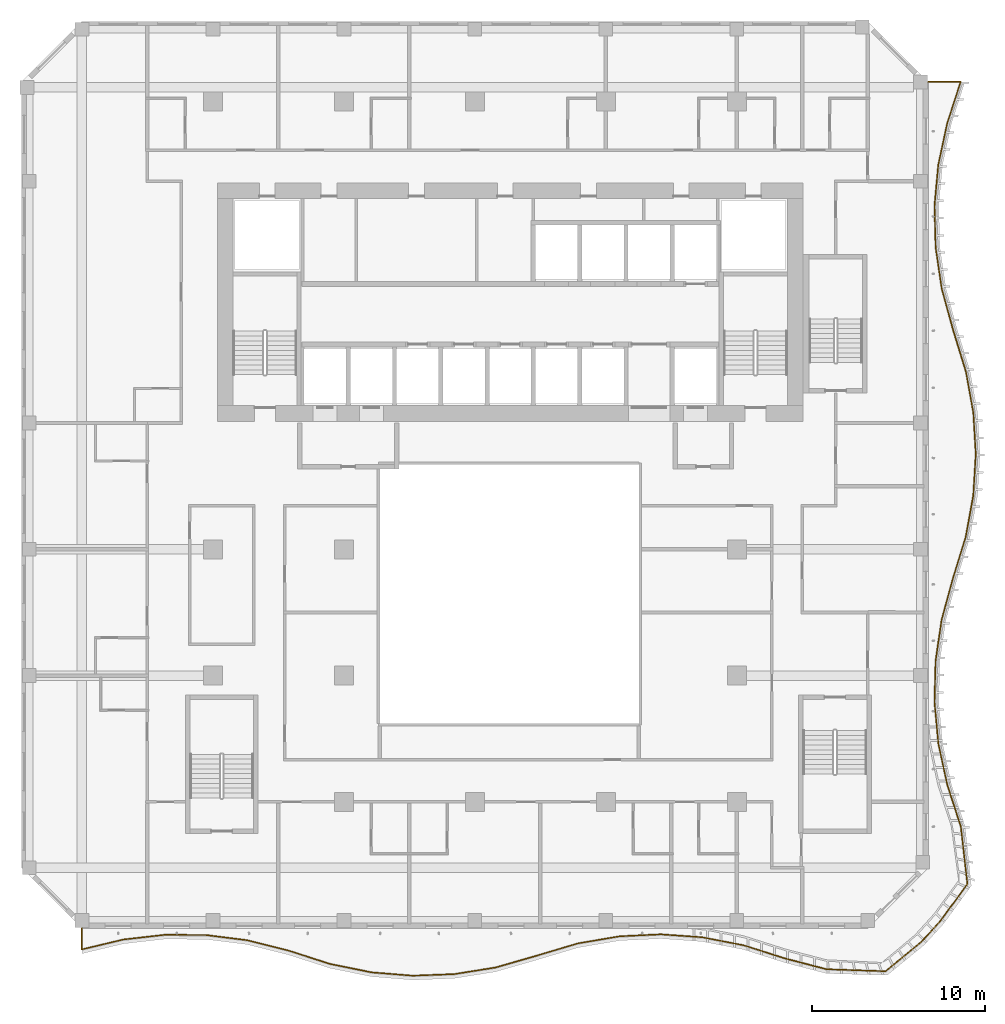
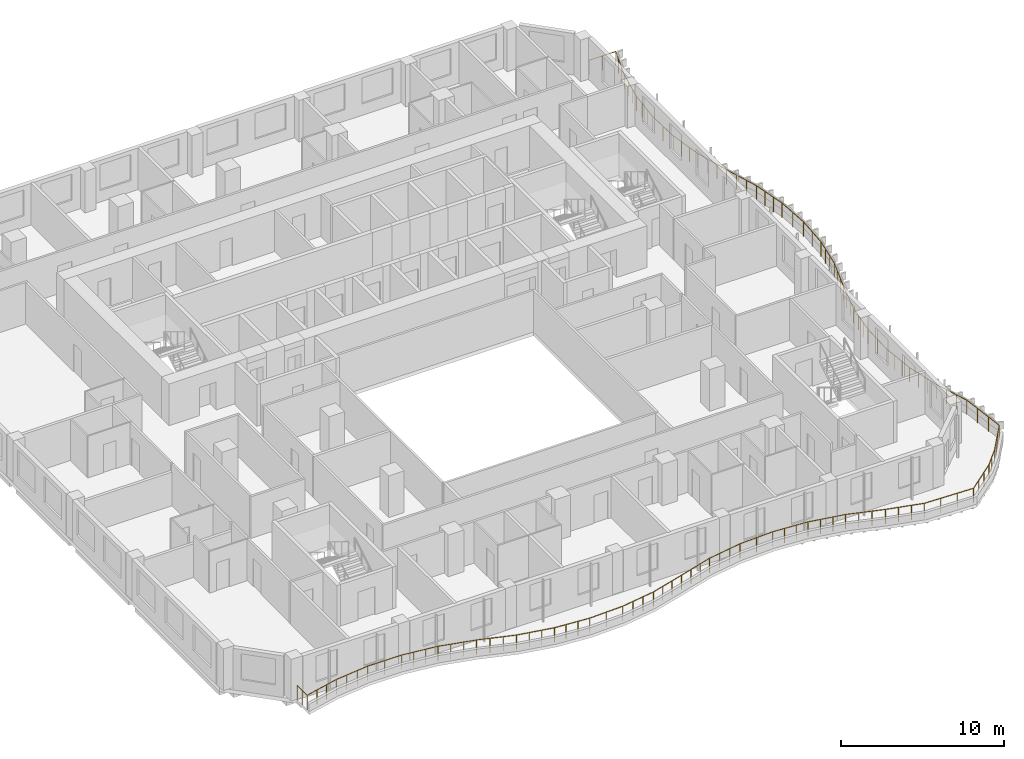
# One storey, part 16 of 22: 1 railing.
"""IFC4 building model written with IfcOpenShell, lengths in metres."""

from ifc_helpers import new_model, si_unit, direction, frame, origin, origin_2d, place, context, subcontext, project, spatial, circle, extrude, material, type_object, element, save


model = new_model("IFC4")

# Units and contexts
model_context = context("Model", 3, precision=1e-05, world=origin(), true_north=direction((0.0, 1.0)))
body_context = subcontext(model_context, "Body", "Model", "MODEL_VIEW")
ifc_project = project(units=[si_unit("LENGTHUNIT", "METRE"), si_unit("AREAUNIT", "SQUARE_METRE"), si_unit("VOLUMEUNIT", "CUBIC_METRE"), si_unit("PLANEANGLEUNIT", "RADIAN"), si_unit("MASSUNIT", "GRAM", prefix="KILO")], contexts=[model_context])

# Site, building, storey
site_placement = place(None, origin())
site = spatial("IfcSite", under=ifc_project, at=site_placement, CompositionType="ELEMENT")
building_placement = place(site_placement, origin())
building = spatial("IfcBuilding", under=site, at=building_placement, Name="Kilnfold Tower and Market Hall", CompositionType="ELEMENT")
storey_placement = place(building_placement, frame((0.0, 0.0, 154.10009765625)))
storey = spatial("IfcBuildingStorey", under=building, at=storey_placement, Name="L35", CompositionType="ELEMENT", Elevation=154.10009765625)

# Railing
ifc_material = material(Name="Stainless steel and laminated glass", Category="steel")
railing_type = type_object("IfcRailingType", Name="GUARD 1100", PredefinedType="GUARDRAIL", material=ifc_material)
railing_placement = place(storey_placement, frame((-23.75, -21.25, 0.0)))
element("IfcRailing", 1, at=railing_placement, inside=storey, type_object=railing_type, Name="Guard balcony L35", PredefinedType="GUARDRAIL", context=body_context, shape_type="SweptSolid", body=[
    extrude(circle(Radius=0.02490234375, at=origin_2d()), frame((0.0, 0.0, 1.0751953125), z_axis=(0.0, -1.0, 0.0), x_axis=(1.0, 0.0, 0.0)), (0.0, 0.0, 1.0), 1.224365234375),
    extrude(circle(Radius=0.02490234375, at=origin_2d()), frame((0.0, -1.224365234375, 1.0751953125), z_axis=(0.972637858526, 0.232326486138, 0.0), x_axis=(-0.232326486138, 0.972637858526, 0.0)), (0.0, 0.0, 1.0), 2.462158203125),
    extrude(circle(Radius=0.02490234375, at=origin_2d()), frame((2.394775390625, -0.65234375, 1.0751953125), z_axis=(0.993555831989, 0.113343763482, 0.0), x_axis=(-0.113343763482, 0.993555831989, 0.0)), (0.0, 0.0, 1.0), 2.410400390625),
    extrude(circle(Radius=0.02490234375, at=origin_2d()), frame((4.78955078125, -0.379150390625, 1.0751953125), z_axis=(0.999984277405, -0.005607579043, 0.0), x_axis=(0.005607579043, 0.999984277405, 0.0)), (0.0, 0.0, 1.0), 2.39453125),
    extrude(circle(Radius=0.02490234375, at=origin_2d()), frame((7.18408203125, -0.392578125, 1.0751953125), z_axis=(0.992217065677, -0.124520257707, 0.0), x_axis=(0.124520257707, 0.992217065677, 0.0)), (0.0, 0.0, 1.0), 2.41357421875),
    extrude(circle(Radius=0.02490234375, at=origin_2d()), frame((9.578857421875, -0.693115234375, 1.0751953125), z_axis=(0.969915233155, -0.243442889594, 0.0), x_axis=(0.243442889594, 0.969915233155, 0.0)), (0.0, 0.0, 1.0), 2.468994140625),
    extrude(circle(Radius=0.02490234375, at=origin_2d()), frame((11.9736328125, -1.294189453125, 1.0751953125), z_axis=(0.951940674273, -0.306282472016, 0.0), x_axis=(0.306282472016, 0.951940674273, 0.0)), (0.0, 0.0, 1.0), 2.515625),
    extrude(circle(Radius=0.02490234375, at=origin_2d()), frame((14.368408203125, -2.064697265625, 1.0751953125), z_axis=(0.979918138669, -0.199400204382, 0.0), x_axis=(0.199400204382, 0.979918138669, 0.0)), (0.0, 0.0, 1.0), 2.44384765625),
    extrude(circle(Radius=0.02490234375, at=origin_2d()), frame((16.76318359375, -2.552001953125, 1.0751953125), z_axis=(0.996748045779, -0.080581221358, 0.0), x_axis=(0.080581221358, 0.996748045779, 0.0)), (0.0, 0.0, 1.0), 2.402587890625),
    extrude(circle(Radius=0.02490234375, at=origin_2d()), frame((19.157958984375, -2.74560546875, 1.0751953125), z_axis=(0.999262077301, 0.038409645508, 0.0), x_axis=(-0.038409645508, 0.999262077301, 0.0)), (0.0, 0.0, 1.0), 2.396240234375),
    extrude(circle(Radius=0.02490234375, at=origin_2d()), frame((21.552490234375, -2.653564453125, 1.0751953125), z_axis=(0.987544070387, 0.157342648523, 0.0), x_axis=(-0.157342648523, 0.987544070387, 0.0)), (0.0, 0.0, 1.0), 2.42529296875),
    extrude(circle(Radius=0.02490234375, at=origin_2d()), frame((23.947509765625, -2.27197265625, 1.0751953125), z_axis=(0.961064099617, 0.276325526195, 0.0), x_axis=(-0.276325526195, 0.961064099617, 0.0)), (0.0, 0.0, 1.0), 2.491455078125),
    extrude(circle(Radius=0.02490234375, at=origin_2d()), frame((26.342041015625, -1.58349609375, 1.0751953125), z_axis=(0.95840786282, 0.285402117168, 0.0), x_axis=(-0.285402117168, 0.95840786282, 0.0)), (0.0, 0.0, 1.0), 2.498779296875),
    extrude(circle(Radius=0.02490234375, at=origin_2d()), frame((28.73681640625, -0.870361328125, 1.0751953125), z_axis=(0.986030201752, 0.166566627006, 0.0), x_axis=(-0.166566627006, 0.986030201752, 0.0)), (0.0, 0.0, 1.0), 2.4287109375),
    extrude(circle(Radius=0.02490234375, at=origin_2d()), frame((31.131591796875, -0.4658203125, 1.0751953125), z_axis=(0.998858903515, 0.047758673234, 0.0), x_axis=(-0.047758673234, 0.998858903515, 0.0)), (0.0, 0.0, 1.0), 2.3974609375),
    extrude(circle(Radius=0.02490234375, at=origin_2d()), frame((33.5263671875, -0.351318359375, 1.0751953125), z_axis=(0.997456118266, -0.07128318268, 0.0), x_axis=(0.07128318268, 0.997456118266, 0.0)), (0.0, 0.0, 1.0), 2.40087890625),
    extrude(circle(Radius=0.02490234375, at=origin_2d()), frame((35.921142578125, -0.5224609375, 1.0751953125), z_axis=(0.981733442958, -0.190261522588, 0.0), x_axis=(0.190261522588, 0.981733442958, 0.0)), (0.0, 0.0, 1.0), 2.439453125),
    extrude(circle(Radius=0.02490234375, at=origin_2d()), frame((38.31591796875, -0.986572265625, 1.0751953125), z_axis=(0.953226539927, -0.302256784173, 0.0), x_axis=(0.302256784173, 0.953226539927, 0.0)), (0.0, 0.0, 1.0), 2.511962890625),
    extrude(circle(Radius=0.02490234375, at=origin_2d()), frame((40.71044921875, -1.745849609375, 1.0751953125), z_axis=(0.967541810288, -0.252710991738, 0.0), x_axis=(0.252710991738, 0.967541810288, 0.0)), (0.0, 0.0, 1.0), 2.47509765625),
    extrude(circle(Radius=0.02490234375, at=origin_2d()), frame((43.105224609375, -2.371337890625, 1.0751953125), z_axis=(0.999408112184, -0.034400949129, 0.0), x_axis=(0.034400949129, 0.999408112184, 0.0)), (0.0, 0.0, 1.0), 3.427734375),
    extrude(circle(Radius=0.02490234375, at=origin_2d()), frame((46.531005859375, -2.4892578125, 1.0751953125), z_axis=(0.772092413404, 0.635510271486, 0.0), x_axis=(-0.635510271486, 0.772092413404, 0.0)), (0.0, 0.0, 1.0), 2.69384765625),
    extrude(circle(Radius=0.02490234375, at=origin_2d()), frame((48.61083984375, -0.77734375, 1.0751953125), z_axis=(0.671980898931, 0.740568478584, 0.0), x_axis=(-0.740568478584, 0.671980898931, 0.0)), (0.0, 0.0, 1.0), 1.651611328125),
    extrude(circle(Radius=0.02490234375, at=origin_2d()), frame((49.720703125, 0.44580078125, 1.0751953125), z_axis=(0.589616974726, 0.807682996673, 0.0), x_axis=(-0.807682996673, 0.589616974726, 0.0)), (0.0, 0.0, 1.0), 2.619873046875),
    extrude(circle(Radius=0.02490234375, at=origin_2d()), frame((51.265380859375, 2.561767578125, 1.0751953125), z_axis=(-0.113817507844, 0.993501673329, 0.0), x_axis=(-0.993501673329, -0.113817507844, 0.0)), (0.0, 0.0, 1.0), 3.354736328125),
    extrude(circle(Radius=0.02490234375, at=origin_2d()), frame((50.883544921875, 5.894775390625, 1.0751953125), z_axis=(-0.309531011285, 0.95088934848, 0.0), x_axis=(-0.95088934848, -0.309531011285, 0.0)), (0.0, 0.0, 1.0), 2.5185546875),
    extrude(circle(Radius=0.02490234375, at=origin_2d()), frame((50.10400390625, 8.28955078125, 1.0751953125), z_axis=(-0.21193734549, 0.977283255554, 0.0), x_axis=(-0.977283255554, -0.21193734549, 0.0)), (0.0, 0.0, 1.0), 2.4501953125),
    extrude(circle(Radius=0.02490234375, at=origin_2d()), frame((49.584716796875, 10.68408203125, 1.0751953125), z_axis=(-0.092878465653, 0.995677453103, 0.0), x_axis=(-0.995677453103, -0.092878465653, 0.0)), (0.0, 0.0, 1.0), 2.4052734375),
    extrude(circle(Radius=0.02490234375, at=origin_2d()), frame((49.361328125, 13.078857421875, 1.0751953125), z_axis=(0.02598775376, 0.999662261294, 0.0), x_axis=(-0.999662261294, 0.02598775376, 0.0)), (0.0, 0.0, 1.0), 2.3955078125),
    extrude(circle(Radius=0.02490234375, at=origin_2d()), frame((49.423583984375, 15.4736328125, 1.0751953125), z_axis=(0.144950924792, 0.989438845711, 0.0), x_axis=(-0.989438845711, 0.144950924792, 0.0)), (0.0, 0.0, 1.0), 2.42041015625),
    extrude(circle(Radius=0.02490234375, at=origin_2d()), frame((49.7744140625, 17.868408203125, 1.0751953125), z_axis=(0.263832909932, 0.964568398631, 0.0), x_axis=(-0.964568398631, 0.263832909932, 0.0)), (0.0, 0.0, 1.0), 2.482666015625),
    extrude(circle(Radius=0.02490234375, at=origin_2d()), frame((50.429443359375, 20.26318359375, 1.0751953125), z_axis=(0.295406488093, 0.955371658985, 0.0), x_axis=(-0.955371658985, 0.295406488093, 0.0)), (0.0, 0.0, 1.0), 2.506591796875),
    extrude(circle(Radius=0.02490234375, at=origin_2d()), frame((51.169921875, 22.657958984375, 1.0751953125), z_axis=(0.179053153737, 0.983839401598, 0.0), x_axis=(-0.983839401598, 0.179053153737, 0.0)), (0.0, 0.0, 1.0), 2.433837890625),
    extrude(circle(Radius=0.02490234375, at=origin_2d()), frame((51.605712890625, 25.052490234375, 1.0751953125), z_axis=(0.060135618519, 0.998190216034, 0.0), x_axis=(-0.998190216034, 0.060135618519, 0.0)), (0.0, 0.0, 1.0), 2.3994140625),
    extrude(circle(Radius=0.02490234375, at=origin_2d()), frame((51.75, 27.447509765625, 1.0751953125), z_axis=(-0.058829418115, 0.998268049957, 0.0), x_axis=(-0.998268049957, -0.058829418115, 0.0)), (0.0, 0.0, 1.0), 2.398681640625),
    extrude(circle(Radius=0.02490234375, at=origin_2d()), frame((51.60888671875, 29.842041015625, 1.0751953125), z_axis=(-0.177772938794, 0.984071533087, 0.0), x_axis=(-0.984071533087, -0.177772938794, 0.0)), (0.0, 0.0, 1.0), 2.43359375),
    extrude(circle(Radius=0.02490234375, at=origin_2d()), frame((51.17626953125, 32.23681640625, 1.0751953125), z_axis=(-0.294517123978, 0.95564620215, 0.0), x_axis=(-0.95564620215, -0.294517123978, 0.0)), (0.0, 0.0, 1.0), 2.505859375),
    extrude(circle(Radius=0.02490234375, at=origin_2d()), frame((50.438232421875, 34.631591796875, 1.0751953125), z_axis=(-0.265204460157, 0.964192197807, 0.0), x_axis=(-0.964192197807, -0.265204460157, 0.0)), (0.0, 0.0, 1.0), 2.483642578125),
    extrude(circle(Radius=0.02490234375, at=origin_2d()), frame((49.779541015625, 37.0263671875, 1.0751953125), z_axis=(-0.14613562587, 0.98926456464, 0.0), x_axis=(-0.98926456464, -0.14613562587, 0.0)), (0.0, 0.0, 1.0), 2.420654296875),
    extrude(circle(Radius=0.02490234375, at=origin_2d()), frame((49.42578125, 39.421142578125, 1.0751953125), z_axis=(-0.027311655337, 0.999626967165, 0.0), x_axis=(-0.999626967165, -0.027311655337, 0.0)), (0.0, 0.0, 1.0), 2.395751953125),
    extrude(circle(Radius=0.02490234375, at=origin_2d()), frame((49.3603515625, 41.81591796875, 1.0751953125), z_axis=(0.091679958956, 0.995788524299, 0.0), x_axis=(-0.995788524299, 0.091679958956, 0.0)), (0.0, 0.0, 1.0), 2.404541015625),
    extrude(circle(Radius=0.02490234375, at=origin_2d()), frame((49.580810546875, 44.21044921875, 1.0751953125), z_axis=(0.210583916046, 0.977575784429, 0.0), x_axis=(-0.977575784429, 0.210583916046, 0.0)), (0.0, 0.0, 1.0), 2.44970703125),
    extrude(circle(Radius=0.02490234375, at=origin_2d()), frame((50.0966796875, 46.605224609375, 1.0751953125), z_axis=(0.309268017736, 0.950974917233, 0.0), x_axis=(-0.950974917233, 0.309268017736, 0.0)), (0.0, 0.0, 1.0), 2.518310546875),
    extrude(circle(Radius=0.02490234375, at=origin_2d()), frame((50.87548828125, 49.0, 1.0751953125), z_axis=(-1.0, 0.0, 0.0), x_axis=(0.0, -1.0, 0.0)), (0.0, 0.0, 1.0), 1.87548828125),
    extrude(circle(Radius=0.02490234375, at=origin_2d()), origin(), (0.0, 0.0, 1.0), 1.050048828125),
    extrude(circle(Radius=0.02490234375, at=origin_2d()), frame((0.0, -0.6123046875, 0.0)), (0.0, 0.0, 1.0), 1.050048828125),
    extrude(circle(Radius=0.02490234375, at=origin_2d()), frame((0.0, -1.224365234375, 0.0)), (0.0, 0.0, 1.0), 1.050048828125),
    extrude(circle(Radius=0.02490234375, at=origin_2d()), frame((0.79833984375, -1.03369140625, 0.0)), (0.0, 0.0, 1.0), 1.050048828125),
    extrude(circle(Radius=0.02490234375, at=origin_2d()), frame((1.596435546875, -0.843017578125, 0.0)), (0.0, 0.0, 1.0), 1.050048828125),
    extrude(circle(Radius=0.02490234375, at=origin_2d()), frame((2.394775390625, -0.65234375, 0.0)), (0.0, 0.0, 1.0), 1.050048828125),
    extrude(circle(Radius=0.02490234375, at=origin_2d()), frame((3.193115234375, -0.561279296875, 0.0)), (0.0, 0.0, 1.0), 1.050048828125),
    extrude(circle(Radius=0.02490234375, at=origin_2d()), frame((3.9912109375, -0.47021484375, 0.0)), (0.0, 0.0, 1.0), 1.050048828125),
    extrude(circle(Radius=0.02490234375, at=origin_2d()), frame((4.78955078125, -0.379150390625, 0.0)), (0.0, 0.0, 1.0), 1.050048828125),
    extrude(circle(Radius=0.02490234375, at=origin_2d()), frame((5.98681640625, -0.3857421875, 0.0)), (0.0, 0.0, 1.0), 1.050048828125),
    extrude(circle(Radius=0.02490234375, at=origin_2d()), frame((7.18408203125, -0.392578125, 0.0)), (0.0, 0.0, 1.0), 1.050048828125),
    extrude(circle(Radius=0.02490234375, at=origin_2d()), frame((7.982421875, -0.49267578125, 0.0)), (0.0, 0.0, 1.0), 1.050048828125),
    extrude(circle(Radius=0.02490234375, at=origin_2d()), frame((8.780517578125, -0.593017578125, 0.0)), (0.0, 0.0, 1.0), 1.050048828125),
    extrude(circle(Radius=0.02490234375, at=origin_2d()), frame((9.578857421875, -0.693115234375, 0.0)), (0.0, 0.0, 1.0), 1.050048828125),
    extrude(circle(Radius=0.02490234375, at=origin_2d()), frame((10.377197265625, -0.8935546875, 0.0)), (0.0, 0.0, 1.0), 1.050048828125),
    extrude(circle(Radius=0.02490234375, at=origin_2d()), frame((11.17529296875, -1.09375, 0.0)), (0.0, 0.0, 1.0), 1.050048828125),
    extrude(circle(Radius=0.02490234375, at=origin_2d()), frame((11.9736328125, -1.294189453125, 0.0)), (0.0, 0.0, 1.0), 1.050048828125),
    extrude(circle(Radius=0.02490234375, at=origin_2d()), frame((12.77197265625, -1.551025390625, 0.0)), (0.0, 0.0, 1.0), 1.050048828125),
    extrude(circle(Radius=0.02490234375, at=origin_2d()), frame((13.570068359375, -1.807861328125, 0.0)), (0.0, 0.0, 1.0), 1.050048828125),
    extrude(circle(Radius=0.02490234375, at=origin_2d()), frame((14.368408203125, -2.064697265625, 0.0)), (0.0, 0.0, 1.0), 1.050048828125),
    extrude(circle(Radius=0.02490234375, at=origin_2d()), frame((15.166748046875, -2.22705078125, 0.0)), (0.0, 0.0, 1.0), 1.050048828125),
    extrude(circle(Radius=0.02490234375, at=origin_2d()), frame((15.96484375, -2.3896484375, 0.0)), (0.0, 0.0, 1.0), 1.050048828125),
    extrude(circle(Radius=0.02490234375, at=origin_2d()), frame((16.76318359375, -2.552001953125, 0.0)), (0.0, 0.0, 1.0), 1.050048828125),
    extrude(circle(Radius=0.02490234375, at=origin_2d()), frame((17.5615234375, -2.616455078125, 0.0)), (0.0, 0.0, 1.0), 1.050048828125),
    extrude(circle(Radius=0.02490234375, at=origin_2d()), frame((18.359619140625, -2.68115234375, 0.0)), (0.0, 0.0, 1.0), 1.050048828125),
    extrude(circle(Radius=0.02490234375, at=origin_2d()), frame((19.157958984375, -2.74560546875, 0.0)), (0.0, 0.0, 1.0), 1.050048828125),
    extrude(circle(Radius=0.02490234375, at=origin_2d()), frame((20.355224609375, -2.69970703125, 0.0)), (0.0, 0.0, 1.0), 1.050048828125),
    extrude(circle(Radius=0.02490234375, at=origin_2d()), frame((21.552490234375, -2.653564453125, 0.0)), (0.0, 0.0, 1.0), 1.050048828125),
    extrude(circle(Radius=0.02490234375, at=origin_2d()), frame((22.350830078125, -2.5263671875, 0.0)), (0.0, 0.0, 1.0), 1.050048828125),
    extrude(circle(Radius=0.02490234375, at=origin_2d()), frame((23.149169921875, -2.399169921875, 0.0)), (0.0, 0.0, 1.0), 1.050048828125),
    extrude(circle(Radius=0.02490234375, at=origin_2d()), frame((23.947509765625, -2.27197265625, 0.0)), (0.0, 0.0, 1.0), 1.050048828125),
    extrude(circle(Radius=0.02490234375, at=origin_2d()), frame((24.74560546875, -2.04248046875, 0.0)), (0.0, 0.0, 1.0), 1.050048828125),
    extrude(circle(Radius=0.02490234375, at=origin_2d()), frame((25.5439453125, -1.81298828125, 0.0)), (0.0, 0.0, 1.0), 1.050048828125),
    extrude(circle(Radius=0.02490234375, at=origin_2d()), frame((26.342041015625, -1.58349609375, 0.0)), (0.0, 0.0, 1.0), 1.050048828125),
    extrude(circle(Radius=0.02490234375, at=origin_2d()), frame((27.140380859375, -1.345703125, 0.0)), (0.0, 0.0, 1.0), 1.050048828125),
    extrude(circle(Radius=0.02490234375, at=origin_2d()), frame((27.9384765625, -1.108154296875, 0.0)), (0.0, 0.0, 1.0), 1.050048828125),
    extrude(circle(Radius=0.02490234375, at=origin_2d()), frame((28.73681640625, -0.870361328125, 0.0)), (0.0, 0.0, 1.0), 1.050048828125),
    extrude(circle(Radius=0.02490234375, at=origin_2d()), frame((29.53515625, -0.735595703125, 0.0)), (0.0, 0.0, 1.0), 1.050048828125),
    extrude(circle(Radius=0.02490234375, at=origin_2d()), frame((30.333251953125, -0.6005859375, 0.0)), (0.0, 0.0, 1.0), 1.050048828125),
    extrude(circle(Radius=0.02490234375, at=origin_2d()), frame((31.131591796875, -0.4658203125, 0.0)), (0.0, 0.0, 1.0), 1.050048828125),
    extrude(circle(Radius=0.02490234375, at=origin_2d()), frame((32.3291015625, -0.40869140625, 0.0)), (0.0, 0.0, 1.0), 1.050048828125),
    extrude(circle(Radius=0.02490234375, at=origin_2d()), frame((33.5263671875, -0.351318359375, 0.0)), (0.0, 0.0, 1.0), 1.050048828125),
    extrude(circle(Radius=0.02490234375, at=origin_2d()), frame((34.32470703125, -0.408447265625, 0.0)), (0.0, 0.0, 1.0), 1.050048828125),
    extrude(circle(Radius=0.02490234375, at=origin_2d()), frame((35.122802734375, -0.46533203125, 0.0)), (0.0, 0.0, 1.0), 1.050048828125),
    extrude(circle(Radius=0.02490234375, at=origin_2d()), frame((35.921142578125, -0.5224609375, 0.0)), (0.0, 0.0, 1.0), 1.050048828125),
    extrude(circle(Radius=0.02490234375, at=origin_2d()), frame((36.719482421875, -0.67724609375, 0.0)), (0.0, 0.0, 1.0), 1.050048828125),
    extrude(circle(Radius=0.02490234375, at=origin_2d()), frame((37.517578125, -0.831787109375, 0.0)), (0.0, 0.0, 1.0), 1.050048828125),
    extrude(circle(Radius=0.02490234375, at=origin_2d()), frame((38.31591796875, -0.986572265625, 0.0)), (0.0, 0.0, 1.0), 1.050048828125),
    extrude(circle(Radius=0.02490234375, at=origin_2d()), frame((39.114013671875, -1.23974609375, 0.0)), (0.0, 0.0, 1.0), 1.050048828125),
    extrude(circle(Radius=0.02490234375, at=origin_2d()), frame((39.912353515625, -1.49267578125, 0.0)), (0.0, 0.0, 1.0), 1.050048828125),
    extrude(circle(Radius=0.02490234375, at=origin_2d()), frame((40.71044921875, -1.745849609375, 0.0)), (0.0, 0.0, 1.0), 1.050048828125),
    extrude(circle(Radius=0.02490234375, at=origin_2d()), frame((41.5087890625, -1.954345703125, 0.0)), (0.0, 0.0, 1.0), 1.050048828125),
    extrude(circle(Radius=0.02490234375, at=origin_2d()), frame((42.306884765625, -2.162841796875, 0.0)), (0.0, 0.0, 1.0), 1.050048828125),
    extrude(circle(Radius=0.02490234375, at=origin_2d()), frame((43.105224609375, -2.371337890625, 0.0)), (0.0, 0.0, 1.0), 1.050048828125),
    extrude(circle(Radius=0.02490234375, at=origin_2d()), frame((44.2470703125, -2.41064453125, 0.0)), (0.0, 0.0, 1.0), 1.050048828125),
    extrude(circle(Radius=0.02490234375, at=origin_2d()), frame((45.38916015625, -2.449951171875, 0.0)), (0.0, 0.0, 1.0), 1.050048828125),
    extrude(circle(Radius=0.02490234375, at=origin_2d()), frame((46.531005859375, -2.4892578125, 0.0)), (0.0, 0.0, 1.0), 1.050048828125),
    extrude(circle(Radius=0.02490234375, at=origin_2d()), frame((47.224365234375, -1.918701171875, 0.0)), (0.0, 0.0, 1.0), 1.050048828125),
    extrude(circle(Radius=0.02490234375, at=origin_2d()), frame((47.91748046875, -1.347900390625, 0.0)), (0.0, 0.0, 1.0), 1.050048828125),
    extrude(circle(Radius=0.02490234375, at=origin_2d()), frame((48.61083984375, -0.77734375, 0.0)), (0.0, 0.0, 1.0), 1.050048828125),
    extrude(circle(Radius=0.02490234375, at=origin_2d()), frame((49.165771484375, -0.165771484375, 0.0)), (0.0, 0.0, 1.0), 1.050048828125),
    extrude(circle(Radius=0.02490234375, at=origin_2d()), frame((49.720703125, 0.44580078125, 0.0)), (0.0, 0.0, 1.0), 1.050048828125),
    extrude(circle(Radius=0.02490234375, at=origin_2d()), frame((50.235595703125, 1.151123046875, 0.0)), (0.0, 0.0, 1.0), 1.050048828125),
    extrude(circle(Radius=0.02490234375, at=origin_2d()), frame((50.75048828125, 1.8564453125, 0.0)), (0.0, 0.0, 1.0), 1.050048828125),
    extrude(circle(Radius=0.02490234375, at=origin_2d()), frame((51.265380859375, 2.561767578125, 0.0)), (0.0, 0.0, 1.0), 1.050048828125),
    extrude(circle(Radius=0.02490234375, at=origin_2d()), frame((51.13818359375, 3.6728515625, 0.0)), (0.0, 0.0, 1.0), 1.050048828125),
    extrude(circle(Radius=0.02490234375, at=origin_2d()), frame((51.0107421875, 4.78369140625, 0.0)), (0.0, 0.0, 1.0), 1.050048828125),
    extrude(circle(Radius=0.02490234375, at=origin_2d()), frame((50.883544921875, 5.894775390625, 0.0)), (0.0, 0.0, 1.0), 1.050048828125),
    extrude(circle(Radius=0.02490234375, at=origin_2d()), frame((50.623779296875, 6.693115234375, 0.0)), (0.0, 0.0, 1.0), 1.050048828125),
    extrude(circle(Radius=0.02490234375, at=origin_2d()), frame((50.36376953125, 7.4912109375, 0.0)), (0.0, 0.0, 1.0), 1.050048828125),
    extrude(circle(Radius=0.02490234375, at=origin_2d()), frame((50.10400390625, 8.28955078125, 0.0)), (0.0, 0.0, 1.0), 1.050048828125),
    extrude(circle(Radius=0.02490234375, at=origin_2d()), frame((49.930908203125, 9.087646484375, 0.0)), (0.0, 0.0, 1.0), 1.050048828125),
    extrude(circle(Radius=0.02490234375, at=origin_2d()), frame((49.7578125, 9.885986328125, 0.0)), (0.0, 0.0, 1.0), 1.050048828125),
    extrude(circle(Radius=0.02490234375, at=origin_2d()), frame((49.584716796875, 10.68408203125, 0.0)), (0.0, 0.0, 1.0), 1.050048828125),
    extrude(circle(Radius=0.02490234375, at=origin_2d()), frame((49.51025390625, 11.482421875, 0.0)), (0.0, 0.0, 1.0), 1.050048828125),
    extrude(circle(Radius=0.02490234375, at=origin_2d()), frame((49.435791015625, 12.280517578125, 0.0)), (0.0, 0.0, 1.0), 1.050048828125),
    extrude(circle(Radius=0.02490234375, at=origin_2d()), frame((49.361328125, 13.078857421875, 0.0)), (0.0, 0.0, 1.0), 1.050048828125),
    extrude(circle(Radius=0.02490234375, at=origin_2d()), frame((49.392578125, 14.2763671875, 0.0)), (0.0, 0.0, 1.0), 1.050048828125),
    extrude(circle(Radius=0.02490234375, at=origin_2d()), frame((49.423583984375, 15.4736328125, 0.0)), (0.0, 0.0, 1.0), 1.050048828125),
    extrude(circle(Radius=0.02490234375, at=origin_2d()), frame((49.54052734375, 16.27197265625, 0.0)), (0.0, 0.0, 1.0), 1.050048828125),
    extrude(circle(Radius=0.02490234375, at=origin_2d()), frame((49.657470703125, 17.070068359375, 0.0)), (0.0, 0.0, 1.0), 1.050048828125),
    extrude(circle(Radius=0.02490234375, at=origin_2d()), frame((49.7744140625, 17.868408203125, 0.0)), (0.0, 0.0, 1.0), 1.050048828125),
    extrude(circle(Radius=0.02490234375, at=origin_2d()), frame((49.99267578125, 18.666748046875, 0.0)), (0.0, 0.0, 1.0), 1.050048828125),
    extrude(circle(Radius=0.02490234375, at=origin_2d()), frame((50.211181640625, 19.46484375, 0.0)), (0.0, 0.0, 1.0), 1.050048828125),
    extrude(circle(Radius=0.02490234375, at=origin_2d()), frame((50.429443359375, 20.26318359375, 0.0)), (0.0, 0.0, 1.0), 1.050048828125),
    extrude(circle(Radius=0.02490234375, at=origin_2d()), frame((50.67626953125, 21.0615234375, 0.0)), (0.0, 0.0, 1.0), 1.050048828125),
    extrude(circle(Radius=0.02490234375, at=origin_2d()), frame((50.923095703125, 21.859619140625, 0.0)), (0.0, 0.0, 1.0), 1.050048828125),
    extrude(circle(Radius=0.02490234375, at=origin_2d()), frame((51.169921875, 22.657958984375, 0.0)), (0.0, 0.0, 1.0), 1.050048828125),
    extrude(circle(Radius=0.02490234375, at=origin_2d()), frame((51.315185546875, 23.4560546875, 0.0)), (0.0, 0.0, 1.0), 1.050048828125),
    extrude(circle(Radius=0.02490234375, at=origin_2d()), frame((51.46044921875, 24.25439453125, 0.0)), (0.0, 0.0, 1.0), 1.050048828125),
    extrude(circle(Radius=0.02490234375, at=origin_2d()), frame((51.605712890625, 25.052490234375, 0.0)), (0.0, 0.0, 1.0), 1.050048828125),
    extrude(circle(Radius=0.02490234375, at=origin_2d()), frame((51.677734375, 26.25, 0.0)), (0.0, 0.0, 1.0), 1.050048828125),
    extrude(circle(Radius=0.02490234375, at=origin_2d()), frame((51.75, 27.447509765625, 0.0)), (0.0, 0.0, 1.0), 1.050048828125),
    extrude(circle(Radius=0.02490234375, at=origin_2d()), frame((51.679443359375, 28.644775390625, 0.0)), (0.0, 0.0, 1.0), 1.050048828125),
    extrude(circle(Radius=0.02490234375, at=origin_2d()), frame((51.60888671875, 29.842041015625, 0.0)), (0.0, 0.0, 1.0), 1.050048828125),
    extrude(circle(Radius=0.02490234375, at=origin_2d()), frame((51.464599609375, 30.640380859375, 0.0)), (0.0, 0.0, 1.0), 1.050048828125),
    extrude(circle(Radius=0.02490234375, at=origin_2d()), frame((51.320556640625, 31.4384765625, 0.0)), (0.0, 0.0, 1.0), 1.050048828125),
    extrude(circle(Radius=0.02490234375, at=origin_2d()), frame((51.17626953125, 32.23681640625, 0.0)), (0.0, 0.0, 1.0), 1.050048828125),
    extrude(circle(Radius=0.02490234375, at=origin_2d()), frame((50.93017578125, 33.03515625, 0.0)), (0.0, 0.0, 1.0), 1.050048828125),
    extrude(circle(Radius=0.02490234375, at=origin_2d()), frame((50.684326171875, 33.833251953125, 0.0)), (0.0, 0.0, 1.0), 1.050048828125),
    extrude(circle(Radius=0.02490234375, at=origin_2d()), frame((50.438232421875, 34.631591796875, 0.0)), (0.0, 0.0, 1.0), 1.050048828125),
    extrude(circle(Radius=0.02490234375, at=origin_2d()), frame((50.21875, 35.429931640625, 0.0)), (0.0, 0.0, 1.0), 1.050048828125),
    extrude(circle(Radius=0.02490234375, at=origin_2d()), frame((49.9990234375, 36.22802734375, 0.0)), (0.0, 0.0, 1.0), 1.050048828125),
    extrude(circle(Radius=0.02490234375, at=origin_2d()), frame((49.779541015625, 37.0263671875, 0.0)), (0.0, 0.0, 1.0), 1.050048828125),
    extrude(circle(Radius=0.02490234375, at=origin_2d()), frame((49.66162109375, 37.82470703125, 0.0)), (0.0, 0.0, 1.0), 1.050048828125),
    extrude(circle(Radius=0.02490234375, at=origin_2d()), frame((49.543701171875, 38.622802734375, 0.0)), (0.0, 0.0, 1.0), 1.050048828125),
    extrude(circle(Radius=0.02490234375, at=origin_2d()), frame((49.42578125, 39.421142578125, 0.0)), (0.0, 0.0, 1.0), 1.050048828125),
    extrude(circle(Radius=0.02490234375, at=origin_2d()), frame((49.39306640625, 40.61865234375, 0.0)), (0.0, 0.0, 1.0), 1.050048828125),
    extrude(circle(Radius=0.02490234375, at=origin_2d()), frame((49.3603515625, 41.81591796875, 0.0)), (0.0, 0.0, 1.0), 1.050048828125),
    extrude(circle(Radius=0.02490234375, at=origin_2d()), frame((49.433837890625, 42.614013671875, 0.0)), (0.0, 0.0, 1.0), 1.050048828125),
    extrude(circle(Radius=0.02490234375, at=origin_2d()), frame((49.50732421875, 43.412353515625, 0.0)), (0.0, 0.0, 1.0), 1.050048828125),
    extrude(circle(Radius=0.02490234375, at=origin_2d()), frame((49.580810546875, 44.21044921875, 0.0)), (0.0, 0.0, 1.0), 1.050048828125),
    extrude(circle(Radius=0.02490234375, at=origin_2d()), frame((49.752685546875, 45.0087890625, 0.0)), (0.0, 0.0, 1.0), 1.050048828125),
    extrude(circle(Radius=0.02490234375, at=origin_2d()), frame((49.9248046875, 45.806884765625, 0.0)), (0.0, 0.0, 1.0), 1.050048828125),
    extrude(circle(Radius=0.02490234375, at=origin_2d()), frame((50.0966796875, 46.605224609375, 0.0)), (0.0, 0.0, 1.0), 1.050048828125),
    extrude(circle(Radius=0.02490234375, at=origin_2d()), frame((50.356201171875, 47.403564453125, 0.0)), (0.0, 0.0, 1.0), 1.050048828125),
    extrude(circle(Radius=0.02490234375, at=origin_2d()), frame((50.615966796875, 48.20166015625, 0.0)), (0.0, 0.0, 1.0), 1.050048828125),
    extrude(circle(Radius=0.02490234375, at=origin_2d()), frame((50.87548828125, 49.0, 0.0)), (0.0, 0.0, 1.0), 1.050048828125),
    extrude(circle(Radius=0.02490234375, at=origin_2d()), frame((49.937744140625, 49.0, 0.0)), (0.0, 0.0, 1.0), 1.050048828125),
    extrude(circle(Radius=0.02490234375, at=origin_2d()), frame((49.0, 49.0, 0.0)), (0.0, 0.0, 1.0), 1.050048828125),
])

save(model, "model.ifc")
